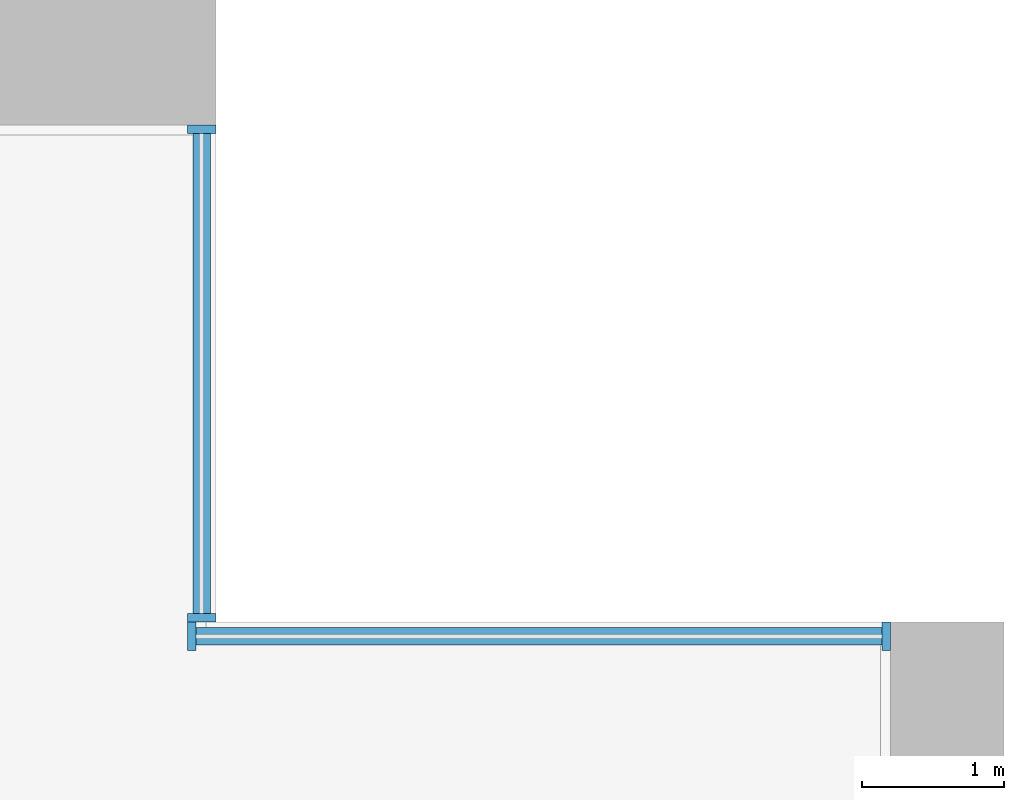
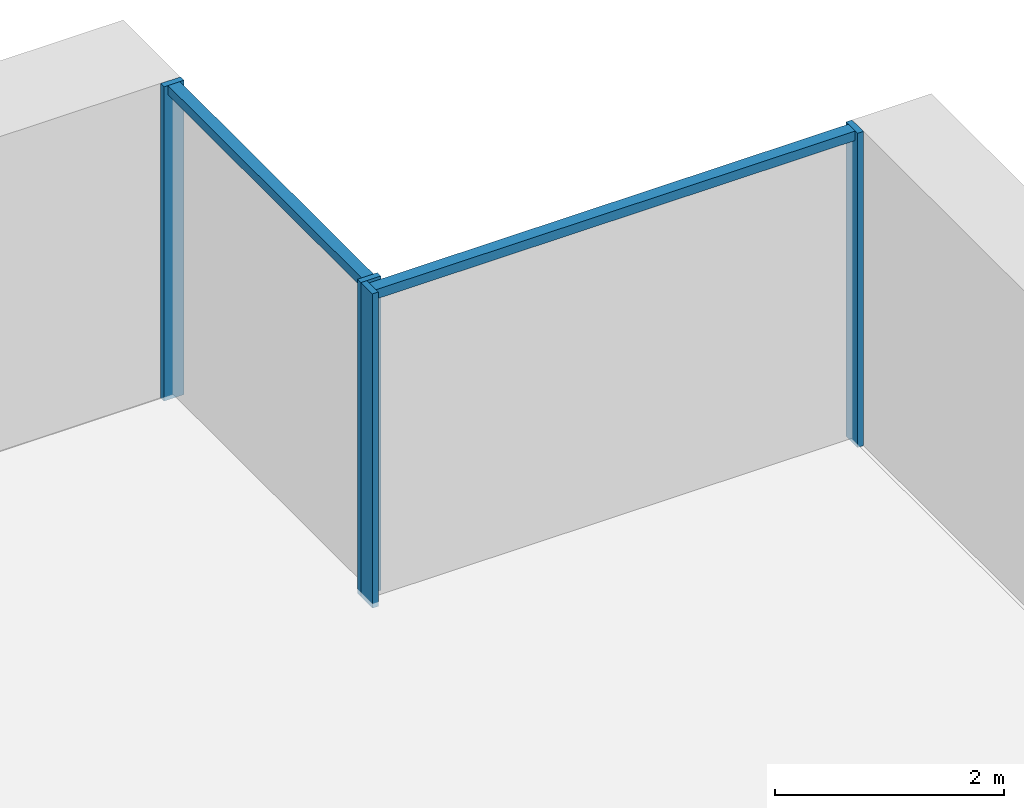
# One storey, part 6 of 18: 6 members, 2 elements without a shape of their own.
"""IFC4 building model written with IfcOpenShell, lengths in metres."""

from ifc_helpers import new_model, si_unit, direction, frame, origin, origin_2d, place, context, subcontext, project, spatial, rectangle, extrude, material, material_profile, profile_set, type_object, element, aggregate, save


model = new_model("IFC4")

# Units and contexts
model_context = context("Model", 3, precision=1e-05, world=origin(), true_north=direction((0.0, 1.0)))
body_context = subcontext(model_context, "Body", "Model", "MODEL_VIEW")
ifc_project = project(units=[si_unit("LENGTHUNIT", "METRE"), si_unit("AREAUNIT", "SQUARE_METRE"), si_unit("VOLUMEUNIT", "CUBIC_METRE"), si_unit("PLANEANGLEUNIT", "RADIAN"), si_unit("MASSUNIT", "GRAM", prefix="KILO")], contexts=[model_context])

# Site, building, storey
site_placement = place(None, origin())
site = spatial("IfcSite", under=ifc_project, at=site_placement, CompositionType="ELEMENT")
building_placement = place(site_placement, origin())
building = spatial("IfcBuilding", under=site, at=building_placement, Name="Calvaro Tower", CompositionType="ELEMENT")
storey_placement = place(building_placement, frame((0.0, 0.0, 63.75)))
storey = spatial("IfcBuildingStorey", under=building, at=storey_placement, Name="L15", CompositionType="ELEMENT", Elevation=63.75)

# Curtain wall, members
ifc_material_1 = material(Name="Anodised aluminium", Category="aluminium")
curtain_wall_type = type_object("IfcCurtainWallType", Name="Office curtain wall, lower zone", PredefinedType="NOTDEFINED", material=ifc_material_1)
curtain_wall_1_placement = place(storey_placement, origin())
curtain_wall_1 = element("IfcCurtainWall", 1, at=curtain_wall_1_placement, inside=storey, type_object=curtain_wall_type, Name="CW1 corner curtain wall", PredefinedType="NOTDEFINED")
ifc_material_2 = material(Name="Anodised aluminium", Category="aluminium")
ifc_material_profile_1 = material_profile(ifc_material_2, rectangle(XDim=0.199951171875, YDim=0.06005859375, at=origin_2d()), Name="Mullion S1 60 x 200")
ifc_profile_set_1 = profile_set([ifc_material_profile_1], Name="Anodised aluminium")
member_type_1 = type_object("IfcMemberType", Name="Mullion S1 60 x 200", PredefinedType="MULLION", material=ifc_profile_set_1)
member_1_placement = place(storey_placement, frame((72.35009765625, 41.530029296875, 0.0), z_axis=(0.0, 0.0, 1.0), x_axis=(-1.0, 0.0, 0.0)))
member_1 = element("IfcMember", 2, at=member_1_placement, type_object=member_type_1, Name="CW1 mullion 1", PredefinedType="MULLION", context=body_context, shape_type="SweptSolid", body=[
    extrude(rectangle(XDim=0.199951171875, YDim=0.06005859375, at=origin_2d()), origin(), (0.0, 0.0, 1.0), 3.35009765625),
])
member_2_placement = place(storey_placement, frame((72.35009765625, 44.969970703125, 0.0), z_axis=(0.0, 0.0, 1.0), x_axis=(-1.0, 0.0, 0.0)))
member_2 = element("IfcMember", 3, at=member_2_placement, type_object=member_type_1, Name="CW1 mullion 2", PredefinedType="MULLION", context=body_context, shape_type="SweptSolid", body=[
    extrude(rectangle(XDim=0.199951171875, YDim=0.06005859375, at=origin_2d()), origin(), (0.0, 0.0, 1.0), 3.35009765625),
])

curtain_wall_2_placement = place(storey_placement, origin())
curtain_wall_2 = element("IfcCurtainWall", 4, at=curtain_wall_2_placement, inside=storey, type_object=curtain_wall_type, Name="CW1 corner curtain wall", PredefinedType="NOTDEFINED")
member_3_placement = place(storey_placement, frame((72.280029296875, 41.39990234375, 0.0), z_axis=(0.0, 0.0, 1.0), x_axis=(0.0, 1.0, 0.0)))
member_3 = element("IfcMember", 5, at=member_3_placement, type_object=member_type_1, Name="CW1 mullion 1", PredefinedType="MULLION", context=body_context, shape_type="SweptSolid", body=[
    extrude(rectangle(XDim=0.199951171875, YDim=0.06005859375, at=origin_2d()), origin(), (0.0, 0.0, 1.0), 3.35009765625),
])
member_4_placement = place(storey_placement, frame((77.169921875, 41.39990234375, 0.0), z_axis=(0.0, 0.0, 1.0), x_axis=(0.0, 1.0, 0.0)))
member_4 = element("IfcMember", 6, at=member_4_placement, type_object=member_type_1, Name="CW1 mullion 2", PredefinedType="MULLION", context=body_context, shape_type="SweptSolid", body=[
    extrude(rectangle(XDim=0.199951171875, YDim=0.06005859375, at=origin_2d()), origin(), (0.0, 0.0, 1.0), 3.35009765625),
])

# Member
ifc_material_3 = material(Name="Anodised aluminium", Category="aluminium")
ifc_material_profile_2 = material_profile(ifc_material_3, rectangle(XDim=0.1201171875, YDim=0.10009765625, at=origin_2d()), Name="Transom S1 100 x 120")
ifc_profile_set_2 = profile_set([ifc_material_profile_2], Name="Anodised aluminium")
member_type_2 = type_object("IfcMemberType", Name="Transom S1 100 x 120", PredefinedType="USERDEFINED", material=ifc_profile_set_2)
member_5_placement = place(storey_placement, frame((72.35009765625, 41.56005859375, 3.300048828125), z_axis=(0.0, 1.0, 0.0), x_axis=(-1.0, 0.0, 0.0)))
member_5 = element("IfcMember", 7, at=member_5_placement, type_object=member_type_2, Name="CW1 transom 1.1", ObjectType="TRANSOM", PredefinedType="USERDEFINED", context=body_context, shape_type="SweptSolid", body=[
    extrude(rectangle(XDim=0.1201171875, YDim=0.10009765625, at=origin_2d()), origin(), (0.0, 0.0, 1.0), 3.3798828125),
])

aggregate(curtain_wall_1, [member_1, member_2, member_5])

member_6_placement = place(storey_placement, frame((72.31005859375, 41.39990234375, 3.300048828125), z_axis=(1.0, 0.0, 0.0), x_axis=(0.0, 1.0, 0.0)))
member_6 = element("IfcMember", 8, at=member_6_placement, type_object=member_type_2, Name="CW1 transom 1.1", ObjectType="TRANSOM", PredefinedType="USERDEFINED", context=body_context, shape_type="SweptSolid", body=[
    extrude(rectangle(XDim=0.1201171875, YDim=0.10009765625, at=origin_2d()), origin(), (0.0, 0.0, 1.0), 4.829833984375),
])

aggregate(curtain_wall_2, [member_3, member_4, member_6])

save(model, "model.ifc")
